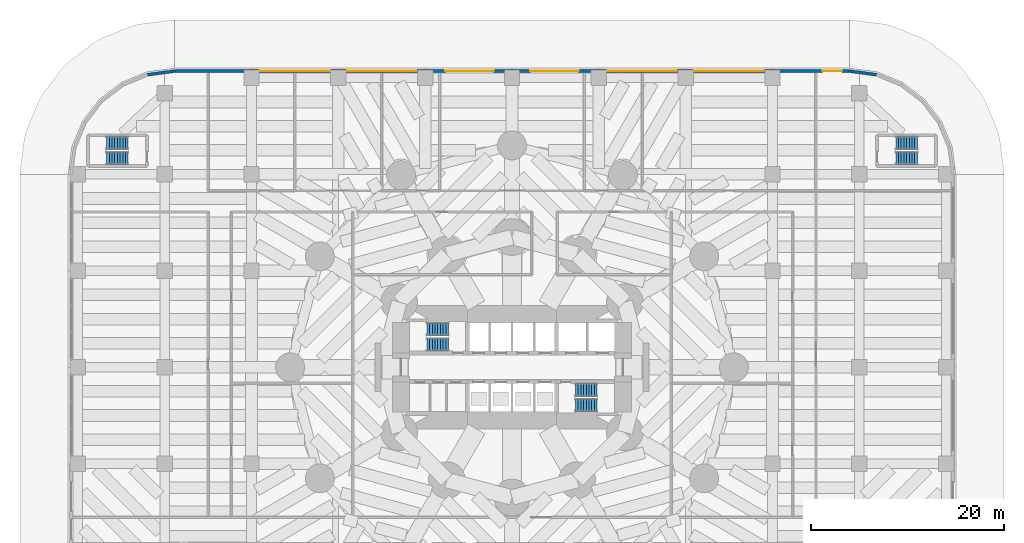
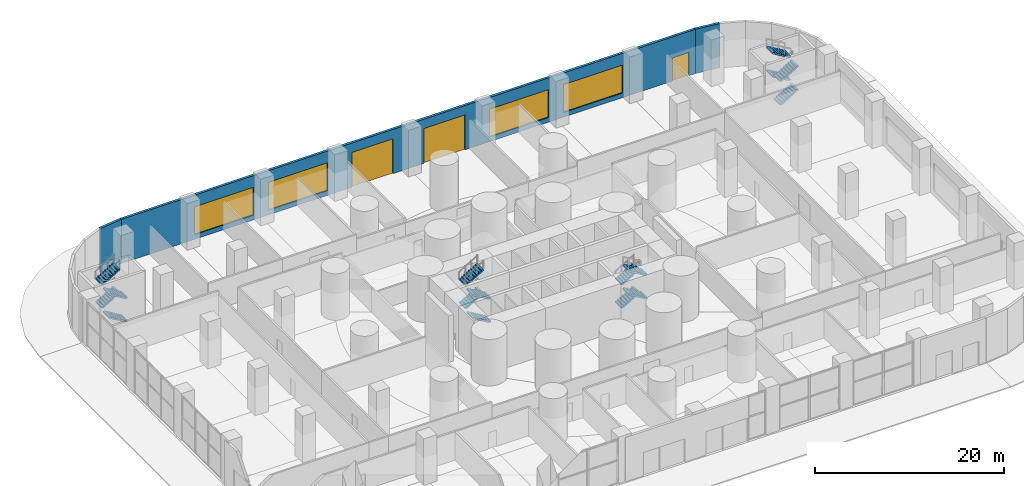
# One storey, part 16 of 20: 16 stair flights, 4 windows, 3 doors, 3 walls, 7 openings, 4 elements without a shape of their own.
"""IFC4 building model written with IfcOpenShell, lengths in metres."""

import ifcopenshell
import ifcopenshell.guid

model = None  # the IFC model being written
_history = None  # IfcOwnerHistory: only IFC2X3 demands one
_inside = {}  # id of a spatial element -> (the spatial element, [elements in it])
_under = {}  # id of a project, library or spatial element -> (it, [spatial elements below it])
_declared = {}  # id of a project -> (the project, [libraries it declares])
_typed = {}  # id of a type object -> (the type object, [elements of that type])
_made_of = {}  # id of a material, layer set ... -> (it, [elements and type objects made of it])


def new_model(schema):
    """Start an empty IFC model of exactly this schema.

    Asked for "IFC4X3", IfcOpenShell would pick the latest addendum, in which some entities
    have other attributes; the version numbers below select the first issue.
    IFC2X3 requires an IfcOwnerHistory on every rooted entity: one is made here for all.
    """
    global model, _history
    if schema == "IFC4X3":
        model = ifcopenshell.file(schema_version=(4, 3, 0, 0))
    else:
        model = ifcopenshell.file(schema=schema)
    _inside.clear()
    _under.clear()
    _declared.clear()
    _typed.clear()
    _made_of.clear()
    _history = None
    if model.schema == "IFC2X3":
        org = make("IfcOrganization", Name="unknown")
        user = make(
            "IfcPersonAndOrganization",
            ThePerson=make("IfcPerson", FamilyName="unknown"),
            TheOrganization=org,
        )
        app = make(
            "IfcApplication",
            ApplicationDeveloper=org,
            Version="unknown",
            ApplicationFullName="unknown",
            ApplicationIdentifier="unknown",
        )
        _history = make(
            "IfcOwnerHistory",
            OwningUser=user,
            OwningApplication=app,
            ChangeAction="ADDED",
            CreationDate=0,
        )
    return model


def make(cls, **values):
    """One entity of the class cls with the attributes given. An attribute that is None is left unset."""
    return model.create_entity(
        cls, **{name: value for name, value in values.items() if value is not None}
    )


def rooted(cls, **values):
    """An entity with a GlobalId (a new one), such as an element, a storey or a relation."""
    return make(cls, GlobalId=ifcopenshell.guid.new(), OwnerHistory=_history, **values)


def si_unit(unit_type, name, prefix=None):
    """IfcSIUnit, for example si_unit("LENGTHUNIT", "METRE", prefix="MILLI")."""
    return make("IfcSIUnit", UnitType=unit_type, Prefix=prefix, Name=name)


def assignment(units):
    """IfcUnitAssignment: the units of a project."""
    return None if units is None else make("IfcUnitAssignment", Units=units)


def point(xyz):
    """IfcCartesianPoint."""
    return None if xyz is None else make("IfcCartesianPoint", Coordinates=xyz)


def direction(xyz):
    """IfcDirection."""
    return None if xyz is None else make("IfcDirection", DirectionRatios=xyz)


def frame(location, z_axis=None, x_axis=None):
    """IfcAxis2Placement3D, a coordinate frame: its origin and axes. An axis left out is left unset."""
    return make(
        "IfcAxis2Placement3D",
        Location=point(location),
        Axis=direction(z_axis),
        RefDirection=direction(x_axis),
    )


def frame_2d(location, x_axis=None):
    """IfcAxis2Placement2D, a coordinate frame in the plane: its origin and x axis."""
    return make(
        "IfcAxis2Placement2D", Location=point(location), RefDirection=direction(x_axis)
    )


def origin():
    """The frame at (0, 0, 0) with its axes left unset."""
    return frame((0.0, 0.0, 0.0))


def place(relative_to, where):
    """IfcLocalPlacement: puts the frame where relative to a parent placement (None: the world)."""
    return make(
        "IfcLocalPlacement", PlacementRelTo=relative_to, RelativePlacement=where
    )


def context(
    kind, dimensions, precision=None, world=None, true_north=None, identifier=None
):
    """IfcGeometricRepresentationContext, for example the 3D "Model" context."""
    return make(
        "IfcGeometricRepresentationContext",
        ContextIdentifier=identifier,
        ContextType=kind,
        CoordinateSpaceDimension=dimensions,
        Precision=precision,
        WorldCoordinateSystem=world,
        TrueNorth=true_north,
    )


def subcontext(parent, identifier, kind, view, scale=None):
    """IfcGeometricRepresentationSubContext, for example "Body" below "Model"."""
    return make(
        "IfcGeometricRepresentationSubContext",
        ContextIdentifier=identifier,
        ContextType=kind,
        ParentContext=parent,
        TargetScale=scale,
        TargetView=view,
    )


def project(units=None, contexts=None):
    """IfcProject with its units and contexts."""
    return rooted(
        "IfcProject",
        Name="project",
        RepresentationContexts=contexts,
        UnitsInContext=assignment(units),
    )


def spatial(cls, under=None, at=None, **own):
    """A site, building, storey or space (cls), placed at a placement, below another one or the project."""
    s = rooted(cls, ObjectPlacement=at, **own)
    if under is not None:
        _under.setdefault(under.id(), (under, []))[1].append(s)
    return s


def polyline(points):
    """IfcPolyline through the points."""
    return make("IfcPolyline", Points=[point(p) for p in points])


def profile(cls, at=None, kind="AREA", **sizes):
    """A parametric profile (cls). Its sizes go by their IFC names, for example OverallWidth=200.0."""
    return make(cls, ProfileType=kind, Position=at, **sizes)


def rectangle(**sizes):
    """IfcRectangleProfileDef."""
    return profile("IfcRectangleProfileDef", **sizes)


def outline(outer, holes=None, kind="AREA"):
    """IfcArbitraryClosedProfileDef: a profile drawn as a closed curve; with holes, ...WithVoids."""
    if holes is None:
        return make("IfcArbitraryClosedProfileDef", ProfileType=kind, OuterCurve=outer)
    return make(
        "IfcArbitraryProfileDefWithVoids",
        ProfileType=kind,
        OuterCurve=outer,
        InnerCurves=holes,
    )


def extrude(swept, where, along, depth):
    """IfcExtrudedAreaSolid: the profile swept, set in the frame where, extruded along a direction by depth."""
    return make(
        "IfcExtrudedAreaSolid",
        SweptArea=swept,
        Position=where,
        ExtrudedDirection=direction(along),
        Depth=depth,
    )


def shape(context_of_items, identifier, shape_type, items):
    """IfcShapeRepresentation: the items that make up one representation, for example the "Body"."""
    return make(
        "IfcShapeRepresentation",
        ContextOfItems=context_of_items,
        RepresentationIdentifier=identifier,
        RepresentationType=shape_type,
        Items=items,
    )


def material(Name=None, Category=None):
    """IfcMaterial."""
    return make("IfcMaterial", Name=Name, Category=Category)


def layer(
    of_material, thickness, ventilated=None, Name=None, Category=None, Priority=None
):
    """IfcMaterialLayer: one layer of a wall or slab, of a material (None: an air gap)."""
    return make(
        "IfcMaterialLayer",
        Material=of_material,
        LayerThickness=thickness,
        IsVentilated=ventilated,
        Name=Name,
        Category=Category,
        Priority=Priority,
    )


def layer_set(layers, Name=None):
    """IfcMaterialLayerSet."""
    return make("IfcMaterialLayerSet", MaterialLayers=layers, LayerSetName=Name)


def made_of(thing, what):
    """Note that an element or type object is made of a material, layer set ...; save() writes the relation."""
    if what is not None:
        _made_of.setdefault(what.id(), (what, []))[1].append(thing)
    return thing


def type_object(cls, material=None, **own):
    """A type object (cls), such as IfcWallType, which elements share."""
    return made_of(rooted(cls, **own), material)


def element(
    cls,
    number,
    at=None,
    inside=None,
    cuts=None,
    type_object=None,
    material=None,
    context=None,
    identifier="Body",
    shape_type=None,
    held_by="IfcProductDefinitionShape",
    body=None,
    shapes=None,
    **own,
):
    """One element of the class cls, such as IfcWall. Its Tag is "e" and its number.

    at: its placement. inside: the storey or other place that contains it. cuts: it is an
    opening in that element (IfcRelVoidsElement). A single representation is given by context,
    identifier, shape_type and body (its items); several are given by shapes. held_by: the class
    of the entity that holds the representations. save() writes the other relations.
    """
    e = rooted(cls, Tag="e%d" % number, ObjectPlacement=at, **own)
    if body is not None:
        shapes = [shape(context, identifier, shape_type, body)]
    if shapes is not None:
        e.Representation = make(held_by, Representations=shapes)
    if inside is not None:
        _inside.setdefault(inside.id(), (inside, []))[1].append(e)
    if cuts is not None:
        rooted(
            "IfcRelVoidsElement", RelatingBuildingElement=cuts, RelatedOpeningElement=e
        )
    if type_object is not None:
        _typed.setdefault(type_object.id(), (type_object, []))[1].append(e)
    return made_of(e, material)


def fill(opening, filler):
    """IfcRelFillsElement: the door or window that sits in an opening."""
    return rooted(
        "IfcRelFillsElement",
        RelatingOpeningElement=opening,
        RelatedBuildingElement=filler,
    )


def aggregate(whole, parts):
    """IfcRelAggregates: a whole, such as a stair, and the parts it consists of."""
    return rooted("IfcRelAggregates", RelatingObject=whole, RelatedObjects=parts)


def save(model, path):
    """Write the relations noted so far, then the file.

    IfcRelAggregates (storeys below a building ...), IfcRelContainedInSpatialStructure (elements
    in a storey), IfcRelDefinesByType, IfcRelAssociatesMaterial and IfcRelDeclares: one each for
    every whole, place, type object, material and project.
    """
    for whole, parts in _under.values():
        aggregate(whole, parts)
    for where, things in _inside.values():
        rooted(
            "IfcRelContainedInSpatialStructure",
            RelatedElements=things,
            RelatingStructure=where,
        )
    for kind, things in _typed.values():
        rooted("IfcRelDefinesByType", RelatedObjects=things, RelatingType=kind)
    for what, things in _made_of.values():
        rooted("IfcRelAssociatesMaterial", RelatedObjects=things, RelatingMaterial=what)
    for by, libraries in _declared.values():
        rooted("IfcRelDeclares", RelatingContext=by, RelatedDefinitions=libraries)
    model.write(path)


model = new_model("IFC4")

# Units and contexts
model_context = context("Model", 3, precision=1e-05, world=origin(), true_north=direction((0.0, 1.0)))
body_context = subcontext(model_context, "Body", "Model", "MODEL_VIEW")
ifc_project = project(units=[si_unit("LENGTHUNIT", "METRE"), si_unit("AREAUNIT", "SQUARE_METRE"), si_unit("VOLUMEUNIT", "CUBIC_METRE"), si_unit("PLANEANGLEUNIT", "RADIAN"), si_unit("MASSUNIT", "GRAM", prefix="KILO")], contexts=[model_context])

# Site, building, storey
site_placement = place(None, origin())
site = spatial("IfcSite", under=ifc_project, at=site_placement, CompositionType="ELEMENT")
building_placement = place(site_placement, origin())
building = spatial("IfcBuilding", under=site, at=building_placement, Name="Qaws Media Tower", CompositionType="ELEMENT")
storey_placement = place(building_placement, origin())
storey = spatial("IfcBuildingStorey", under=building, at=storey_placement, Name="L00", CompositionType="ELEMENT", Elevation=0.0)

# Wall
ifc_material_1 = material(Name="Precast concrete, exposed finish", Category="concrete")
ifc_layer = layer(ifc_material_1, 0.300048828125)
ifc_layer_set = layer_set([ifc_layer], Name="Podium facade wall 300")
wall_type = type_object("IfcWallType", Name="Podium facade wall 300", PredefinedType="SOLIDWALL", material=ifc_layer_set)
wall_1_placement = place(storey_placement, frame((97.769287109375, 80.33544921875, 0.0), z_axis=(0.0, 0.0, 1.0), x_axis=(-0.991448642066, 0.130497471798, 0.0)))
element("IfcWall", 1, at=wall_1_placement, inside=storey, type_object=wall_type, Name="W782 EW2 podium wall L00-13", PredefinedType="SOLIDWALL", context=body_context, shape_type="SweptSolid", body=[
    extrude(rectangle(XDim=2.793212890625, YDim=0.300048828125, at=frame_2d((1.396484375, 0.0))), origin(), (0.0, 0.0, 1.0), 5.699951171875),
])

# Wall, openings, doors, windows
wall_2_placement = place(storey_placement, frame((95.0, 80.699951171875, 0.0), z_axis=(0.0, 0.0, 1.0), x_axis=(-1.0, 0.0, 0.0)))
wall_2 = element("IfcWall", 2, at=wall_2_placement, inside=storey, type_object=wall_type, Name="W780 EW2 podium wall L00-14", PredefinedType="SOLIDWALL", context=body_context, shape_type="SweptSolid", body=[
    extrude(rectangle(XDim=70.0, YDim=0.300048828125, at=frame_2d((35.0, 0.0))), origin(), (0.0, 0.0, 1.0), 5.699951171875),
])
opening_1_placement = place(wall_2_placement, frame((53.89990234375, 0.0, 0.60009765625)))
opening_1 = element("IfcOpeningElement", 3, at=opening_1_placement, cuts=wall_2, Name="Opening W3", PredefinedType="OPENING", context=body_context, shape_type="SweptSolid", body=[
    extrude(rectangle(XDim=7.199951171875, YDim=3.60009765625, at=frame_2d((3.60009765625, 1.800048828125))), frame((0.0, 0.159912109375, 0.0), z_axis=(0.0, -1.0, 0.0), x_axis=(1.0, 0.0, 0.0)), (0.0, 0.0, 1.0), 0.320068359375),
])
opening_2_placement = place(wall_2_placement, frame((44.89990234375, 0.0, 0.60009765625)))
opening_2 = element("IfcOpeningElement", 4, at=opening_2_placement, cuts=wall_2, Name="Opening W3", PredefinedType="OPENING", context=body_context, shape_type="SweptSolid", body=[
    extrude(rectangle(XDim=7.199951171875, YDim=3.60009765625, at=frame_2d((3.60009765625, 1.800048828125))), frame((0.0, 0.159912109375, 0.0), z_axis=(0.0, -1.0, 0.0), x_axis=(1.0, 0.0, 0.0)), (0.0, 0.0, 1.0), 0.320068359375),
])
opening_3_placement = place(wall_2_placement, frame((36.89990234375, 0.0, 0.0)))
opening_3 = element("IfcOpeningElement", 5, at=opening_3_placement, cuts=wall_2, Name="Opening D10", PredefinedType="OPENING", context=body_context, shape_type="SweptSolid", body=[
    extrude(rectangle(XDim=5.0, YDim=4.5, at=frame_2d((2.5, 2.25))), frame((0.0, 0.159912109375, 0.0), z_axis=(0.0, -1.0, 0.0), x_axis=(1.0, 0.0, 0.0)), (0.0, 0.0, 1.0), 0.320068359375),
])
opening_4_placement = place(wall_2_placement, frame((28.10009765625, 0.0, 0.0)))
opening_4 = element("IfcOpeningElement", 6, at=opening_4_placement, cuts=wall_2, Name="Opening D10", PredefinedType="OPENING", context=body_context, shape_type="SweptSolid", body=[
    extrude(rectangle(XDim=5.0, YDim=4.5, at=frame_2d((2.5, 2.25))), frame((0.0, 0.159912109375, 0.0), z_axis=(0.0, -1.0, 0.0), x_axis=(1.0, 0.0, 0.0)), (0.0, 0.0, 1.0), 0.320068359375),
])
opening_5_placement = place(wall_2_placement, frame((17.89990234375, 0.0, 0.60009765625)))
opening_5 = element("IfcOpeningElement", 7, at=opening_5_placement, cuts=wall_2, Name="Opening W3", PredefinedType="OPENING", context=body_context, shape_type="SweptSolid", body=[
    extrude(rectangle(XDim=7.199951171875, YDim=3.60009765625, at=frame_2d((3.60009765625, 1.800048828125))), frame((0.0, 0.159912109375, 0.0), z_axis=(0.0, -1.0, 0.0), x_axis=(1.0, 0.0, 0.0)), (0.0, 0.0, 1.0), 0.320068359375),
])
opening_6_placement = place(wall_2_placement, frame((8.89990234375, 0.0, 0.60009765625)))
opening_6 = element("IfcOpeningElement", 8, at=opening_6_placement, cuts=wall_2, Name="Opening W3", PredefinedType="OPENING", context=body_context, shape_type="SweptSolid", body=[
    extrude(rectangle(XDim=7.199951171875, YDim=3.60009765625, at=frame_2d((3.60009765625, 1.800048828125))), frame((0.0, 0.159912109375, 0.0), z_axis=(0.0, -1.0, 0.0), x_axis=(1.0, 0.0, 0.0)), (0.0, 0.0, 1.0), 0.320068359375),
])
opening_7_placement = place(wall_2_placement, frame((0.800048828125, 0.0, 0.0)))
opening_7 = element("IfcOpeningElement", 9, at=opening_7_placement, cuts=wall_2, Name="Opening D29", PredefinedType="OPENING", context=body_context, shape_type="SweptSolid", body=[
    extrude(rectangle(XDim=2.0, YDim=3.0, at=frame_2d((1.0, 1.5))), frame((0.0, 0.159912109375, 0.0), z_axis=(0.0, -1.0, 0.0), x_axis=(1.0, 0.0, 0.0)), (0.0, 0.0, 1.0), 0.320068359375),
])
ifc_material_2 = material(Name="Aluminium and clear glass", Category="aluminium")
door_type_1 = type_object("IfcDoorType", Name="Exit door pair 2000", OperationType="DOUBLE_DOOR_SINGLE_SWING", PredefinedType="DOOR", material=ifc_material_2)
door_1_placement = place(opening_7_placement, frame((2.0, 0.0, 0.0), z_axis=(0.0, 0.0, 1.0), x_axis=(-1.0, 0.0, 0.0)))
door_1 = element("IfcDoor", 10, at=door_1_placement, inside=storey, type_object=door_type_1, Name="D29 door L00 bay 9 in wall W780", OperationType="DOUBLE_DOOR_SINGLE_SWING", OverallHeight=3.0, OverallWidth=2.0, PredefinedType="DOOR", context=body_context, shape_type="SweptSolid", body=[
    extrude(rectangle(XDim=2.0, YDim=3.0, at=frame_2d((1.0, 1.5))), frame((0.0, 0.02490234375, 0.0), z_axis=(0.0, -1.0, 0.0), x_axis=(1.0, 0.0, 0.0)), (0.0, 0.0, 1.0), 0.050048828125),
])
fill(opening_7, door_1)
ifc_material_3 = material(Name="Steel roller shutter", Category="steel")
door_type_2 = type_object("IfcDoorType", Name="Loading door 5000x4500", OperationType="USERDEFINED", PredefinedType="DOOR", material=ifc_material_3)
door_2_placement = place(opening_3_placement, origin())
door_2 = element("IfcDoor", 11, at=door_2_placement, inside=storey, type_object=door_type_2, Name="D10 door L00 bay 5 in wall W780", OperationType="USERDEFINED", OverallHeight=4.5, OverallWidth=5.0, PredefinedType="DOOR", context=body_context, shape_type="SweptSolid", body=[
    extrude(rectangle(XDim=5.0, YDim=4.5, at=frame_2d((2.5, 2.25))), frame((0.0, 0.02490234375, 0.0), z_axis=(0.0, -1.0, 0.0), x_axis=(1.0, 0.0, 0.0)), (0.0, 0.0, 1.0), 0.050048828125),
])
fill(opening_3, door_2)
door_3_placement = place(opening_4_placement, origin())
door_3 = element("IfcDoor", 12, at=door_3_placement, inside=storey, type_object=door_type_2, Name="D10 door L00 bay 6 in wall W780", OperationType="USERDEFINED", OverallHeight=4.5, OverallWidth=5.0, PredefinedType="DOOR", context=body_context, shape_type="SweptSolid", body=[
    extrude(rectangle(XDim=5.0, YDim=4.5, at=frame_2d((2.5, 2.25))), frame((0.0, 0.02490234375, 0.0), z_axis=(0.0, -1.0, 0.0), x_axis=(1.0, 0.0, 0.0)), (0.0, 0.0, 1.0), 0.050048828125),
])
fill(opening_4, door_3)
ifc_material_4 = material(Name="Aluminium and clear glass", Category="aluminium")
window_type = type_object("IfcWindowType", Name="Shopfront window 7200x3600", PartitioningType="TRIPLE_PANEL_HORIZONTAL", PredefinedType="WINDOW", material=ifc_material_4)
window_1_placement = place(opening_1_placement, origin())
window_1 = element("IfcWindow", 13, at=window_1_placement, inside=storey, type_object=window_type, Name="W3 window L00 bay 3", OverallHeight=3.60009765625, OverallWidth=7.199951171875, PartitioningType="SINGLE_PANEL", PredefinedType="WINDOW", context=body_context, shape_type="SweptSolid", body=[
    extrude(rectangle(XDim=7.199951171875, YDim=3.60009765625, at=frame_2d((3.60009765625, 1.800048828125))), frame((0.0, 0.030029296875, 0.0), z_axis=(0.0, -1.0, 0.0), x_axis=(1.0, 0.0, 0.0)), (0.0, 0.0, 1.0), 0.06005859375),
])
fill(opening_1, window_1)
window_2_placement = place(opening_2_placement, origin())
window_2 = element("IfcWindow", 14, at=window_2_placement, inside=storey, type_object=window_type, Name="W3 window L00 bay 4", OverallHeight=3.60009765625, OverallWidth=7.199951171875, PartitioningType="SINGLE_PANEL", PredefinedType="WINDOW", context=body_context, shape_type="SweptSolid", body=[
    extrude(rectangle(XDim=7.199951171875, YDim=3.60009765625, at=frame_2d((3.60009765625, 1.800048828125))), frame((0.0, 0.030029296875, 0.0), z_axis=(0.0, -1.0, 0.0), x_axis=(1.0, 0.0, 0.0)), (0.0, 0.0, 1.0), 0.06005859375),
])
fill(opening_2, window_2)
window_3_placement = place(opening_5_placement, origin())
window_3 = element("IfcWindow", 15, at=window_3_placement, inside=storey, type_object=window_type, Name="W3 window L00 bay 7", OverallHeight=3.60009765625, OverallWidth=7.199951171875, PartitioningType="SINGLE_PANEL", PredefinedType="WINDOW", context=body_context, shape_type="SweptSolid", body=[
    extrude(rectangle(XDim=7.199951171875, YDim=3.60009765625, at=frame_2d((3.60009765625, 1.800048828125))), frame((0.0, 0.030029296875, 0.0), z_axis=(0.0, -1.0, 0.0), x_axis=(1.0, 0.0, 0.0)), (0.0, 0.0, 1.0), 0.06005859375),
])
fill(opening_5, window_3)
window_4_placement = place(opening_6_placement, origin())
window_4 = element("IfcWindow", 16, at=window_4_placement, inside=storey, type_object=window_type, Name="W3 window L00 bay 8", OverallHeight=3.60009765625, OverallWidth=7.199951171875, PartitioningType="SINGLE_PANEL", PredefinedType="WINDOW", context=body_context, shape_type="SweptSolid", body=[
    extrude(rectangle(XDim=7.199951171875, YDim=3.60009765625, at=frame_2d((3.60009765625, 1.800048828125))), frame((0.0, 0.030029296875, 0.0), z_axis=(0.0, -1.0, 0.0), x_axis=(1.0, 0.0, 0.0)), (0.0, 0.0, 1.0), 0.06005859375),
])
fill(opening_6, window_4)

# Wall
wall_3_placement = place(storey_placement, frame((25.0, 80.699951171875, 0.0), z_axis=(0.0, 0.0, 1.0), x_axis=(-0.991448642066, -0.130497471798, 0.0)))
element("IfcWall", 17, at=wall_3_placement, inside=storey, type_object=wall_type, Name="W776 EW2 podium wall L00-15", PredefinedType="SOLIDWALL", context=body_context, shape_type="SweptSolid", body=[
    extrude(rectangle(XDim=2.793212890625, YDim=0.300048828125, at=frame_2d((1.396484375, 0.0))), origin(), (0.0, 0.0, 1.0), 5.699951171875),
])

# Stair, stair flights
ifc_material_5 = material(Name="Concrete C40/50", Category="concrete")
stair_type = type_object("IfcStairType", Name="Exit stair", PredefinedType="HALF_TURN_STAIR", material=ifc_material_5)
stair_1_placement = place(storey_placement, origin())
stair_1 = element("IfcStair", 18, at=stair_1_placement, inside=storey, type_object=stair_type, Name="S1 exit stair L00", PredefinedType="HALF_TURN_STAIR")
ifc_material_6 = material(Name="Concrete C40/50", Category="concrete")
stair_flight_type = type_object("IfcStairFlightType", Name="Stair flight 1310", PredefinedType="STRAIGHT", material=ifc_material_6)
stair_flight_1_placement = place(storey_placement, frame((53.419921875, 52.35498046875, 0.0), z_axis=(0.0, 0.0, 1.0), x_axis=(-1.0, 0.0, 0.0)))
stair_flight_1 = element("IfcStairFlight", 19, at=stair_flight_1_placement, type_object=stair_flight_type, Name="S1 flight 1", NumberOfRisers=9, NumberOfTreads=8, PredefinedType="STRAIGHT", RiserHeight=0.166666667, TreadLength=0.28, context=body_context, shape_type="SweptSolid", body=[
    extrude(outline(polyline([(0.0, 0.0), (0.0, 0.166748046875), (0.280029296875, 0.166748046875), (0.280029296875, 0.333251953125), (0.56005859375, 0.333251953125), (0.56005859375, 0.5), (0.840087890625, 0.5), (0.840087890625, 0.666748046875), (1.1201171875, 0.666748046875), (1.1201171875, 0.833251953125), (1.39990234375, 0.833251953125), (1.39990234375, 1.0), (1.679931640625, 1.0), (1.679931640625, 1.166748046875), (1.9599609375, 1.166748046875), (1.9599609375, 1.333251953125), (2.239990234375, 1.333251953125), (2.239990234375, 1.5), (2.239990234375, 1.158935546875), (0.29296875, 0.0), (0.0, 0.0)])), frame((0.0, 0.655029296875, 0.0), z_axis=(0.0, -1.0, 0.0), x_axis=(1.0, 0.0, 0.0)), (0.0, 0.0, 1.0), 1.31005859375),
])
stair_flight_2_placement = place(storey_placement, frame((51.179931640625, 53.945068359375, 1.5), z_axis=(0.0, 0.0, 1.0), x_axis=(1.0, 0.0, 0.0)))
stair_flight_2 = element("IfcStairFlight", 20, at=stair_flight_2_placement, type_object=stair_flight_type, Name="S1 flight 2", NumberOfRisers=9, NumberOfTreads=8, PredefinedType="STRAIGHT", RiserHeight=0.166666667, TreadLength=0.28, context=body_context, shape_type="SweptSolid", body=[
    extrude(outline(polyline([(0.0, 0.0), (0.0, 0.166748046875), (0.280029296875, 0.166748046875), (0.280029296875, 0.333251953125), (0.56005859375, 0.333251953125), (0.56005859375, 0.5), (0.840087890625, 0.5), (0.840087890625, 0.666748046875), (1.1201171875, 0.666748046875), (1.1201171875, 0.833251953125), (1.39990234375, 0.833251953125), (1.39990234375, 1.0), (1.679931640625, 1.0), (1.679931640625, 1.166748046875), (1.9599609375, 1.166748046875), (1.9599609375, 1.333251953125), (2.239990234375, 1.333251953125), (2.239990234375, 1.5), (2.239990234375, 1.158935546875), (0.29296875, 0.0), (0.0, 0.0)])), frame((0.0, 0.655029296875, 0.0), z_axis=(0.0, -1.0, 0.0), x_axis=(1.0, 0.0, 0.0)), (0.0, 0.0, 1.0), 1.31005859375),
])
stair_flight_3_placement = place(storey_placement, frame((53.419921875, 52.35498046875, 3.0), z_axis=(0.0, 0.0, 1.0), x_axis=(-1.0, 0.0, 0.0)))
stair_flight_3 = element("IfcStairFlight", 21, at=stair_flight_3_placement, type_object=stair_flight_type, Name="S1 flight 3", NumberOfRisers=9, NumberOfTreads=8, PredefinedType="STRAIGHT", RiserHeight=0.166666667, TreadLength=0.28, context=body_context, shape_type="SweptSolid", body=[
    extrude(outline(polyline([(0.0, 0.0), (0.0, 0.166748046875), (0.280029296875, 0.166748046875), (0.280029296875, 0.333251953125), (0.56005859375, 0.333251953125), (0.56005859375, 0.5), (0.840087890625, 0.5), (0.840087890625, 0.666748046875), (1.1201171875, 0.666748046875), (1.1201171875, 0.833251953125), (1.39990234375, 0.833251953125), (1.39990234375, 1.0), (1.679931640625, 1.0), (1.679931640625, 1.166748046875), (1.9599609375, 1.166748046875), (1.9599609375, 1.333251953125), (2.239990234375, 1.333251953125), (2.239990234375, 1.5), (2.239990234375, 1.158935546875), (0.29296875, 0.0), (0.0, 0.0)])), frame((0.0, 0.655029296875, 0.0), z_axis=(0.0, -1.0, 0.0), x_axis=(1.0, 0.0, 0.0)), (0.0, 0.0, 1.0), 1.31005859375),
])
stair_flight_4_placement = place(storey_placement, frame((51.179931640625, 53.945068359375, 4.5), z_axis=(0.0, 0.0, 1.0), x_axis=(1.0, 0.0, 0.0)))
stair_flight_4 = element("IfcStairFlight", 22, at=stair_flight_4_placement, type_object=stair_flight_type, Name="S1 flight 4", NumberOfRisers=9, NumberOfTreads=8, PredefinedType="STRAIGHT", RiserHeight=0.166666667, TreadLength=0.28, context=body_context, shape_type="SweptSolid", body=[
    extrude(outline(polyline([(0.0, 0.0), (0.0, 0.166748046875), (0.280029296875, 0.166748046875), (0.280029296875, 0.333251953125), (0.56005859375, 0.333251953125), (0.56005859375, 0.5), (0.840087890625, 0.5), (0.840087890625, 0.666748046875), (1.1201171875, 0.666748046875), (1.1201171875, 0.833251953125), (1.39990234375, 0.833251953125), (1.39990234375, 1.0), (1.679931640625, 1.0), (1.679931640625, 1.166748046875), (1.9599609375, 1.166748046875), (1.9599609375, 1.333251953125), (2.239990234375, 1.333251953125), (2.239990234375, 1.5), (2.239990234375, 1.158935546875), (0.29296875, 0.0), (0.0, 0.0)])), frame((0.0, 0.655029296875, 0.0), z_axis=(0.0, -1.0, 0.0), x_axis=(1.0, 0.0, 0.0)), (0.0, 0.0, 1.0), 1.31005859375),
])
aggregate(stair_1, [stair_flight_1, stair_flight_2, stair_flight_3, stair_flight_4])

stair_2_placement = place(storey_placement, origin())
stair_2 = element("IfcStair", 23, at=stair_2_placement, inside=storey, type_object=stair_type, Name="S2 exit stair L00", PredefinedType="HALF_TURN_STAIR")
stair_flight_5_placement = place(storey_placement, frame((66.580078125, 47.64501953125, 0.0), z_axis=(0.0, 0.0, 1.0), x_axis=(1.0, 0.0, 0.0)))
stair_flight_5 = element("IfcStairFlight", 24, at=stair_flight_5_placement, type_object=stair_flight_type, Name="S2 flight 1", NumberOfRisers=9, NumberOfTreads=8, PredefinedType="STRAIGHT", RiserHeight=0.166666667, TreadLength=0.28, context=body_context, shape_type="SweptSolid", body=[
    extrude(outline(polyline([(0.0, 0.0), (0.0, 0.166748046875), (0.280029296875, 0.166748046875), (0.280029296875, 0.333251953125), (0.56005859375, 0.333251953125), (0.56005859375, 0.5), (0.840087890625, 0.5), (0.840087890625, 0.666748046875), (1.1201171875, 0.666748046875), (1.1201171875, 0.833251953125), (1.39990234375, 0.833251953125), (1.39990234375, 1.0), (1.679931640625, 1.0), (1.679931640625, 1.166748046875), (1.9599609375, 1.166748046875), (1.9599609375, 1.333251953125), (2.239990234375, 1.333251953125), (2.239990234375, 1.5), (2.239990234375, 1.158935546875), (0.29296875, 0.0), (0.0, 0.0)])), frame((0.0, 0.655029296875, 0.0), z_axis=(0.0, -1.0, 0.0), x_axis=(1.0, 0.0, 0.0)), (0.0, 0.0, 1.0), 1.31005859375),
])
stair_flight_6_placement = place(storey_placement, frame((68.820068359375, 46.054931640625, 1.5), z_axis=(0.0, 0.0, 1.0), x_axis=(-1.0, 0.0, 0.0)))
stair_flight_6 = element("IfcStairFlight", 25, at=stair_flight_6_placement, type_object=stair_flight_type, Name="S2 flight 2", NumberOfRisers=9, NumberOfTreads=8, PredefinedType="STRAIGHT", RiserHeight=0.166666667, TreadLength=0.28, context=body_context, shape_type="SweptSolid", body=[
    extrude(outline(polyline([(0.0, 0.0), (0.0, 0.166748046875), (0.280029296875, 0.166748046875), (0.280029296875, 0.333251953125), (0.56005859375, 0.333251953125), (0.56005859375, 0.5), (0.840087890625, 0.5), (0.840087890625, 0.666748046875), (1.1201171875, 0.666748046875), (1.1201171875, 0.833251953125), (1.39990234375, 0.833251953125), (1.39990234375, 1.0), (1.679931640625, 1.0), (1.679931640625, 1.166748046875), (1.9599609375, 1.166748046875), (1.9599609375, 1.333251953125), (2.239990234375, 1.333251953125), (2.239990234375, 1.5), (2.239990234375, 1.158935546875), (0.29296875, 0.0), (0.0, 0.0)])), frame((0.0, 0.655029296875, 0.0), z_axis=(0.0, -1.0, 0.0), x_axis=(1.0, 0.0, 0.0)), (0.0, 0.0, 1.0), 1.31005859375),
])
stair_flight_7_placement = place(storey_placement, frame((66.580078125, 47.64501953125, 3.0), z_axis=(0.0, 0.0, 1.0), x_axis=(1.0, 0.0, 0.0)))
stair_flight_7 = element("IfcStairFlight", 26, at=stair_flight_7_placement, type_object=stair_flight_type, Name="S2 flight 3", NumberOfRisers=9, NumberOfTreads=8, PredefinedType="STRAIGHT", RiserHeight=0.166666667, TreadLength=0.28, context=body_context, shape_type="SweptSolid", body=[
    extrude(outline(polyline([(0.0, 0.0), (0.0, 0.166748046875), (0.280029296875, 0.166748046875), (0.280029296875, 0.333251953125), (0.56005859375, 0.333251953125), (0.56005859375, 0.5), (0.840087890625, 0.5), (0.840087890625, 0.666748046875), (1.1201171875, 0.666748046875), (1.1201171875, 0.833251953125), (1.39990234375, 0.833251953125), (1.39990234375, 1.0), (1.679931640625, 1.0), (1.679931640625, 1.166748046875), (1.9599609375, 1.166748046875), (1.9599609375, 1.333251953125), (2.239990234375, 1.333251953125), (2.239990234375, 1.5), (2.239990234375, 1.158935546875), (0.29296875, 0.0), (0.0, 0.0)])), frame((0.0, 0.655029296875, 0.0), z_axis=(0.0, -1.0, 0.0), x_axis=(1.0, 0.0, 0.0)), (0.0, 0.0, 1.0), 1.31005859375),
])
stair_flight_8_placement = place(storey_placement, frame((68.820068359375, 46.054931640625, 4.5), z_axis=(0.0, 0.0, 1.0), x_axis=(-1.0, 0.0, 0.0)))
stair_flight_8 = element("IfcStairFlight", 27, at=stair_flight_8_placement, type_object=stair_flight_type, Name="S2 flight 4", NumberOfRisers=9, NumberOfTreads=8, PredefinedType="STRAIGHT", RiserHeight=0.166666667, TreadLength=0.28, context=body_context, shape_type="SweptSolid", body=[
    extrude(outline(polyline([(0.0, 0.0), (0.0, 0.166748046875), (0.280029296875, 0.166748046875), (0.280029296875, 0.333251953125), (0.56005859375, 0.333251953125), (0.56005859375, 0.5), (0.840087890625, 0.5), (0.840087890625, 0.666748046875), (1.1201171875, 0.666748046875), (1.1201171875, 0.833251953125), (1.39990234375, 0.833251953125), (1.39990234375, 1.0), (1.679931640625, 1.0), (1.679931640625, 1.166748046875), (1.9599609375, 1.166748046875), (1.9599609375, 1.333251953125), (2.239990234375, 1.333251953125), (2.239990234375, 1.5), (2.239990234375, 1.158935546875), (0.29296875, 0.0), (0.0, 0.0)])), frame((0.0, 0.655029296875, 0.0), z_axis=(0.0, -1.0, 0.0), x_axis=(1.0, 0.0, 0.0)), (0.0, 0.0, 1.0), 1.31005859375),
])
aggregate(stair_2, [stair_flight_5, stair_flight_6, stair_flight_7, stair_flight_8])

stair_3_placement = place(storey_placement, origin())
stair_3 = element("IfcStair", 28, at=stair_3_placement, inside=storey, type_object=stair_type, Name="S3 exit stair L00", PredefinedType="HALF_TURN_STAIR")
stair_flight_9_placement = place(storey_placement, frame((20.219970703125, 71.655029296875, 0.0), z_axis=(0.0, 0.0, 1.0), x_axis=(-1.0, 0.0, 0.0)))
stair_flight_9 = element("IfcStairFlight", 29, at=stair_flight_9_placement, type_object=stair_flight_type, Name="S3 flight 1", NumberOfRisers=9, NumberOfTreads=8, PredefinedType="STRAIGHT", RiserHeight=0.166666667, TreadLength=0.28, context=body_context, shape_type="SweptSolid", body=[
    extrude(outline(polyline([(0.0, 0.0), (0.0, 0.166748046875), (0.280029296875, 0.166748046875), (0.280029296875, 0.333251953125), (0.56005859375, 0.333251953125), (0.56005859375, 0.5), (0.840087890625, 0.5), (0.840087890625, 0.666748046875), (1.1201171875, 0.666748046875), (1.1201171875, 0.833251953125), (1.39990234375, 0.833251953125), (1.39990234375, 1.0), (1.679931640625, 1.0), (1.679931640625, 1.166748046875), (1.9599609375, 1.166748046875), (1.9599609375, 1.333251953125), (2.239990234375, 1.333251953125), (2.239990234375, 1.5), (2.239990234375, 1.158935546875), (0.29296875, 0.0), (0.0, 0.0)])), frame((0.0, 0.655029296875, 0.0), z_axis=(0.0, -1.0, 0.0), x_axis=(1.0, 0.0, 0.0)), (0.0, 0.0, 1.0), 1.31005859375),
])
stair_flight_10_placement = place(storey_placement, frame((17.97998046875, 73.2451171875, 1.5), z_axis=(0.0, 0.0, 1.0), x_axis=(1.0, 0.0, 0.0)))
stair_flight_10 = element("IfcStairFlight", 30, at=stair_flight_10_placement, type_object=stair_flight_type, Name="S3 flight 2", NumberOfRisers=9, NumberOfTreads=8, PredefinedType="STRAIGHT", RiserHeight=0.166666667, TreadLength=0.28, context=body_context, shape_type="SweptSolid", body=[
    extrude(outline(polyline([(0.0, 0.0), (0.0, 0.166748046875), (0.280029296875, 0.166748046875), (0.280029296875, 0.333251953125), (0.56005859375, 0.333251953125), (0.56005859375, 0.5), (0.840087890625, 0.5), (0.840087890625, 0.666748046875), (1.1201171875, 0.666748046875), (1.1201171875, 0.833251953125), (1.39990234375, 0.833251953125), (1.39990234375, 1.0), (1.679931640625, 1.0), (1.679931640625, 1.166748046875), (1.9599609375, 1.166748046875), (1.9599609375, 1.333251953125), (2.239990234375, 1.333251953125), (2.239990234375, 1.5), (2.239990234375, 1.158935546875), (0.29296875, 0.0), (0.0, 0.0)])), frame((0.0, 0.655029296875, 0.0), z_axis=(0.0, -1.0, 0.0), x_axis=(1.0, 0.0, 0.0)), (0.0, 0.0, 1.0), 1.31005859375),
])
stair_flight_11_placement = place(storey_placement, frame((20.219970703125, 71.655029296875, 3.0), z_axis=(0.0, 0.0, 1.0), x_axis=(-1.0, 0.0, 0.0)))
stair_flight_11 = element("IfcStairFlight", 31, at=stair_flight_11_placement, type_object=stair_flight_type, Name="S3 flight 3", NumberOfRisers=9, NumberOfTreads=8, PredefinedType="STRAIGHT", RiserHeight=0.166666667, TreadLength=0.28, context=body_context, shape_type="SweptSolid", body=[
    extrude(outline(polyline([(0.0, 0.0), (0.0, 0.166748046875), (0.280029296875, 0.166748046875), (0.280029296875, 0.333251953125), (0.56005859375, 0.333251953125), (0.56005859375, 0.5), (0.840087890625, 0.5), (0.840087890625, 0.666748046875), (1.1201171875, 0.666748046875), (1.1201171875, 0.833251953125), (1.39990234375, 0.833251953125), (1.39990234375, 1.0), (1.679931640625, 1.0), (1.679931640625, 1.166748046875), (1.9599609375, 1.166748046875), (1.9599609375, 1.333251953125), (2.239990234375, 1.333251953125), (2.239990234375, 1.5), (2.239990234375, 1.158935546875), (0.29296875, 0.0), (0.0, 0.0)])), frame((0.0, 0.655029296875, 0.0), z_axis=(0.0, -1.0, 0.0), x_axis=(1.0, 0.0, 0.0)), (0.0, 0.0, 1.0), 1.31005859375),
])
stair_flight_12_placement = place(storey_placement, frame((17.97998046875, 73.2451171875, 4.5), z_axis=(0.0, 0.0, 1.0), x_axis=(1.0, 0.0, 0.0)))
stair_flight_12 = element("IfcStairFlight", 32, at=stair_flight_12_placement, type_object=stair_flight_type, Name="S3 flight 4", NumberOfRisers=9, NumberOfTreads=8, PredefinedType="STRAIGHT", RiserHeight=0.166666667, TreadLength=0.28, context=body_context, shape_type="SweptSolid", body=[
    extrude(outline(polyline([(0.0, 0.0), (0.0, 0.166748046875), (0.280029296875, 0.166748046875), (0.280029296875, 0.333251953125), (0.56005859375, 0.333251953125), (0.56005859375, 0.5), (0.840087890625, 0.5), (0.840087890625, 0.666748046875), (1.1201171875, 0.666748046875), (1.1201171875, 0.833251953125), (1.39990234375, 0.833251953125), (1.39990234375, 1.0), (1.679931640625, 1.0), (1.679931640625, 1.166748046875), (1.9599609375, 1.166748046875), (1.9599609375, 1.333251953125), (2.239990234375, 1.333251953125), (2.239990234375, 1.5), (2.239990234375, 1.158935546875), (0.29296875, 0.0), (0.0, 0.0)])), frame((0.0, 0.655029296875, 0.0), z_axis=(0.0, -1.0, 0.0), x_axis=(1.0, 0.0, 0.0)), (0.0, 0.0, 1.0), 1.31005859375),
])
aggregate(stair_3, [stair_flight_9, stair_flight_10, stair_flight_11, stair_flight_12])

stair_4_placement = place(storey_placement, origin())
stair_4 = element("IfcStair", 33, at=stair_4_placement, inside=storey, type_object=stair_type, Name="S4 exit stair L00", PredefinedType="HALF_TURN_STAIR")
stair_flight_13_placement = place(storey_placement, frame((99.780029296875, 71.655029296875, 0.0), z_axis=(0.0, 0.0, 1.0), x_axis=(1.0, 0.0, 0.0)))
stair_flight_13 = element("IfcStairFlight", 34, at=stair_flight_13_placement, type_object=stair_flight_type, Name="S4 flight 1", NumberOfRisers=9, NumberOfTreads=8, PredefinedType="STRAIGHT", RiserHeight=0.166666667, TreadLength=0.28, context=body_context, shape_type="SweptSolid", body=[
    extrude(outline(polyline([(0.0, 0.0), (0.0, 0.166748046875), (0.280029296875, 0.166748046875), (0.280029296875, 0.333251953125), (0.56005859375, 0.333251953125), (0.56005859375, 0.5), (0.840087890625, 0.5), (0.840087890625, 0.666748046875), (1.1201171875, 0.666748046875), (1.1201171875, 0.833251953125), (1.39990234375, 0.833251953125), (1.39990234375, 1.0), (1.679931640625, 1.0), (1.679931640625, 1.166748046875), (1.9599609375, 1.166748046875), (1.9599609375, 1.333251953125), (2.239990234375, 1.333251953125), (2.239990234375, 1.5), (2.239990234375, 1.158935546875), (0.29296875, 0.0), (0.0, 0.0)])), frame((0.0, 0.655029296875, 0.0), z_axis=(0.0, -1.0, 0.0), x_axis=(1.0, 0.0, 0.0)), (0.0, 0.0, 1.0), 1.31005859375),
])
stair_flight_14_placement = place(storey_placement, frame((102.02001953125, 73.2451171875, 1.5), z_axis=(0.0, 0.0, 1.0), x_axis=(-1.0, 0.0, 0.0)))
stair_flight_14 = element("IfcStairFlight", 35, at=stair_flight_14_placement, type_object=stair_flight_type, Name="S4 flight 2", NumberOfRisers=9, NumberOfTreads=8, PredefinedType="STRAIGHT", RiserHeight=0.166666667, TreadLength=0.28, context=body_context, shape_type="SweptSolid", body=[
    extrude(outline(polyline([(0.0, 0.0), (0.0, 0.166748046875), (0.280029296875, 0.166748046875), (0.280029296875, 0.333251953125), (0.56005859375, 0.333251953125), (0.56005859375, 0.5), (0.840087890625, 0.5), (0.840087890625, 0.666748046875), (1.1201171875, 0.666748046875), (1.1201171875, 0.833251953125), (1.39990234375, 0.833251953125), (1.39990234375, 1.0), (1.679931640625, 1.0), (1.679931640625, 1.166748046875), (1.9599609375, 1.166748046875), (1.9599609375, 1.333251953125), (2.239990234375, 1.333251953125), (2.239990234375, 1.5), (2.239990234375, 1.158935546875), (0.29296875, 0.0), (0.0, 0.0)])), frame((0.0, 0.655029296875, 0.0), z_axis=(0.0, -1.0, 0.0), x_axis=(1.0, 0.0, 0.0)), (0.0, 0.0, 1.0), 1.31005859375),
])
stair_flight_15_placement = place(storey_placement, frame((99.780029296875, 71.655029296875, 3.0), z_axis=(0.0, 0.0, 1.0), x_axis=(1.0, 0.0, 0.0)))
stair_flight_15 = element("IfcStairFlight", 36, at=stair_flight_15_placement, type_object=stair_flight_type, Name="S4 flight 3", NumberOfRisers=9, NumberOfTreads=8, PredefinedType="STRAIGHT", RiserHeight=0.166666667, TreadLength=0.28, context=body_context, shape_type="SweptSolid", body=[
    extrude(outline(polyline([(0.0, 0.0), (0.0, 0.166748046875), (0.280029296875, 0.166748046875), (0.280029296875, 0.333251953125), (0.56005859375, 0.333251953125), (0.56005859375, 0.5), (0.840087890625, 0.5), (0.840087890625, 0.666748046875), (1.1201171875, 0.666748046875), (1.1201171875, 0.833251953125), (1.39990234375, 0.833251953125), (1.39990234375, 1.0), (1.679931640625, 1.0), (1.679931640625, 1.166748046875), (1.9599609375, 1.166748046875), (1.9599609375, 1.333251953125), (2.239990234375, 1.333251953125), (2.239990234375, 1.5), (2.239990234375, 1.158935546875), (0.29296875, 0.0), (0.0, 0.0)])), frame((0.0, 0.655029296875, 0.0), z_axis=(0.0, -1.0, 0.0), x_axis=(1.0, 0.0, 0.0)), (0.0, 0.0, 1.0), 1.31005859375),
])
stair_flight_16_placement = place(storey_placement, frame((102.02001953125, 73.2451171875, 4.5), z_axis=(0.0, 0.0, 1.0), x_axis=(-1.0, 0.0, 0.0)))
stair_flight_16 = element("IfcStairFlight", 37, at=stair_flight_16_placement, type_object=stair_flight_type, Name="S4 flight 4", NumberOfRisers=9, NumberOfTreads=8, PredefinedType="STRAIGHT", RiserHeight=0.166666667, TreadLength=0.28, context=body_context, shape_type="SweptSolid", body=[
    extrude(outline(polyline([(0.0, 0.0), (0.0, 0.166748046875), (0.280029296875, 0.166748046875), (0.280029296875, 0.333251953125), (0.56005859375, 0.333251953125), (0.56005859375, 0.5), (0.840087890625, 0.5), (0.840087890625, 0.666748046875), (1.1201171875, 0.666748046875), (1.1201171875, 0.833251953125), (1.39990234375, 0.833251953125), (1.39990234375, 1.0), (1.679931640625, 1.0), (1.679931640625, 1.166748046875), (1.9599609375, 1.166748046875), (1.9599609375, 1.333251953125), (2.239990234375, 1.333251953125), (2.239990234375, 1.5), (2.239990234375, 1.158935546875), (0.29296875, 0.0), (0.0, 0.0)])), frame((0.0, 0.655029296875, 0.0), z_axis=(0.0, -1.0, 0.0), x_axis=(1.0, 0.0, 0.0)), (0.0, 0.0, 1.0), 1.31005859375),
])
aggregate(stair_4, [stair_flight_13, stair_flight_14, stair_flight_15, stair_flight_16])

save(model, "model.ifc")
